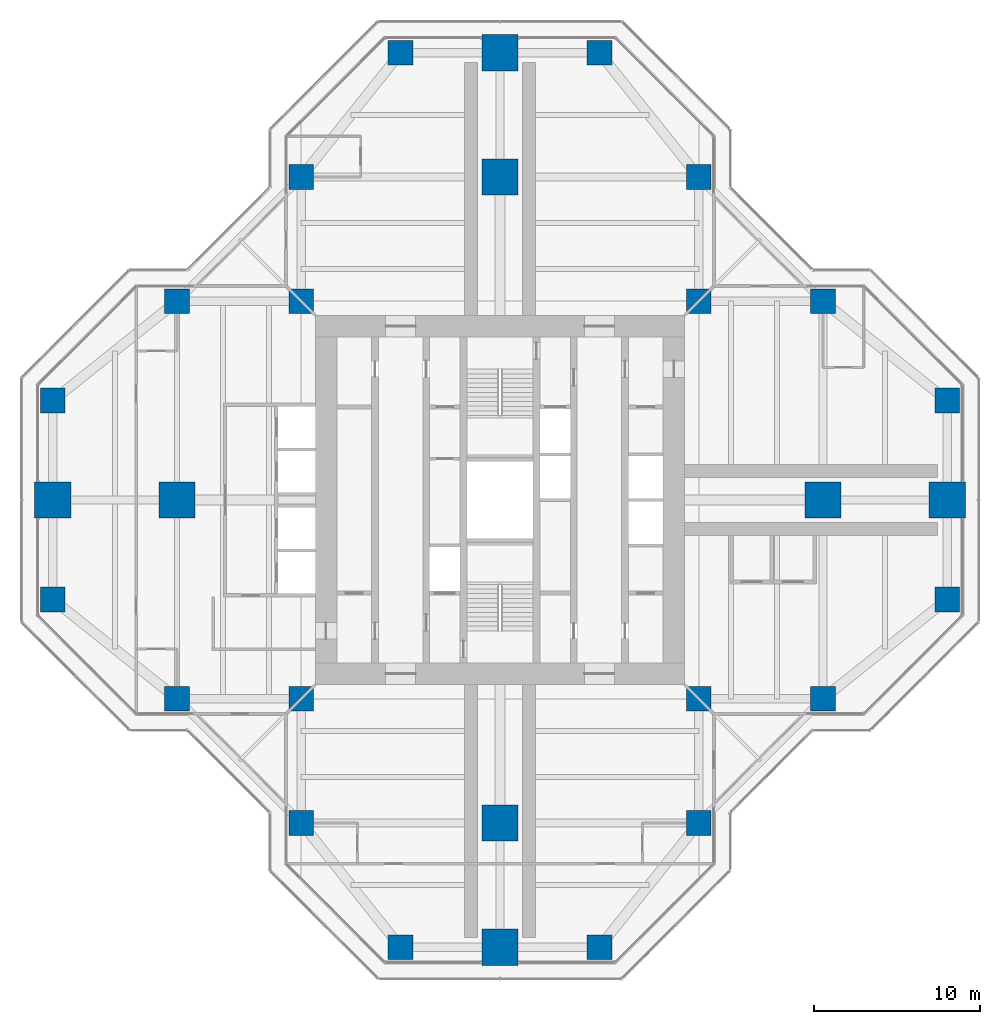
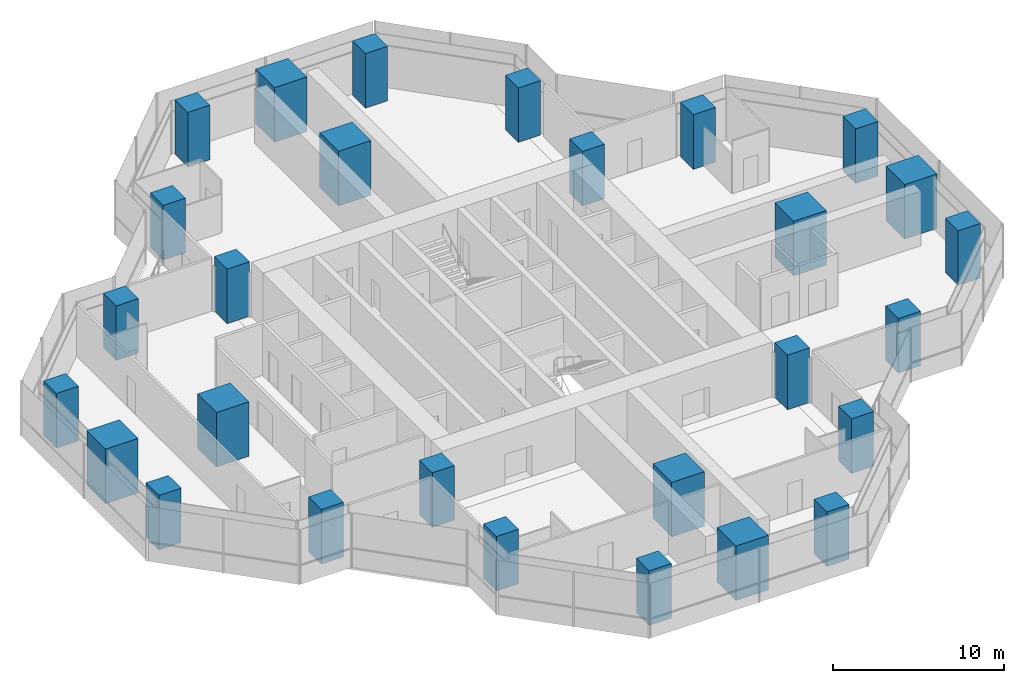
# One storey, part 1 of 17: 28 columns.
"""IFC4 building model written with IfcOpenShell, lengths in metres."""

import ifcopenshell
import ifcopenshell.guid

model = None  # the IFC model being written
_history = None  # IfcOwnerHistory: only IFC2X3 demands one
_inside = {}  # id of a spatial element -> (the spatial element, [elements in it])
_under = {}  # id of a project, library or spatial element -> (it, [spatial elements below it])
_declared = {}  # id of a project -> (the project, [libraries it declares])
_typed = {}  # id of a type object -> (the type object, [elements of that type])
_made_of = {}  # id of a material, layer set ... -> (it, [elements and type objects made of it])


def new_model(schema):
    """Start an empty IFC model of exactly this schema.

    Asked for "IFC4X3", IfcOpenShell would pick the latest addendum, in which some entities
    have other attributes; the version numbers below select the first issue.
    IFC2X3 requires an IfcOwnerHistory on every rooted entity: one is made here for all.
    """
    global model, _history
    if schema == "IFC4X3":
        model = ifcopenshell.file(schema_version=(4, 3, 0, 0))
    else:
        model = ifcopenshell.file(schema=schema)
    _inside.clear()
    _under.clear()
    _declared.clear()
    _typed.clear()
    _made_of.clear()
    _history = None
    if model.schema == "IFC2X3":
        org = make("IfcOrganization", Name="unknown")
        user = make(
            "IfcPersonAndOrganization",
            ThePerson=make("IfcPerson", FamilyName="unknown"),
            TheOrganization=org,
        )
        app = make(
            "IfcApplication",
            ApplicationDeveloper=org,
            Version="unknown",
            ApplicationFullName="unknown",
            ApplicationIdentifier="unknown",
        )
        _history = make(
            "IfcOwnerHistory",
            OwningUser=user,
            OwningApplication=app,
            ChangeAction="ADDED",
            CreationDate=0,
        )
    return model


def make(cls, **values):
    """One entity of the class cls with the attributes given. An attribute that is None is left unset."""
    return model.create_entity(
        cls, **{name: value for name, value in values.items() if value is not None}
    )


def rooted(cls, **values):
    """An entity with a GlobalId (a new one), such as an element, a storey or a relation."""
    return make(cls, GlobalId=ifcopenshell.guid.new(), OwnerHistory=_history, **values)


def si_unit(unit_type, name, prefix=None):
    """IfcSIUnit, for example si_unit("LENGTHUNIT", "METRE", prefix="MILLI")."""
    return make("IfcSIUnit", UnitType=unit_type, Prefix=prefix, Name=name)


def assignment(units):
    """IfcUnitAssignment: the units of a project."""
    return None if units is None else make("IfcUnitAssignment", Units=units)


def point(xyz):
    """IfcCartesianPoint."""
    return None if xyz is None else make("IfcCartesianPoint", Coordinates=xyz)


def direction(xyz):
    """IfcDirection."""
    return None if xyz is None else make("IfcDirection", DirectionRatios=xyz)


def frame(location, z_axis=None, x_axis=None):
    """IfcAxis2Placement3D, a coordinate frame: its origin and axes. An axis left out is left unset."""
    return make(
        "IfcAxis2Placement3D",
        Location=point(location),
        Axis=direction(z_axis),
        RefDirection=direction(x_axis),
    )


def frame_2d(location, x_axis=None):
    """IfcAxis2Placement2D, a coordinate frame in the plane: its origin and x axis."""
    return make(
        "IfcAxis2Placement2D", Location=point(location), RefDirection=direction(x_axis)
    )


def origin():
    """The frame at (0, 0, 0) with its axes left unset."""
    return frame((0.0, 0.0, 0.0))


def origin_2d():
    """The frame at (0, 0) in the plane with its x axis left unset."""
    return frame_2d((0.0, 0.0))


def place(relative_to, where):
    """IfcLocalPlacement: puts the frame where relative to a parent placement (None: the world)."""
    return make(
        "IfcLocalPlacement", PlacementRelTo=relative_to, RelativePlacement=where
    )


def context(
    kind, dimensions, precision=None, world=None, true_north=None, identifier=None
):
    """IfcGeometricRepresentationContext, for example the 3D "Model" context."""
    return make(
        "IfcGeometricRepresentationContext",
        ContextIdentifier=identifier,
        ContextType=kind,
        CoordinateSpaceDimension=dimensions,
        Precision=precision,
        WorldCoordinateSystem=world,
        TrueNorth=true_north,
    )


def subcontext(parent, identifier, kind, view, scale=None):
    """IfcGeometricRepresentationSubContext, for example "Body" below "Model"."""
    return make(
        "IfcGeometricRepresentationSubContext",
        ContextIdentifier=identifier,
        ContextType=kind,
        ParentContext=parent,
        TargetScale=scale,
        TargetView=view,
    )


def project(units=None, contexts=None):
    """IfcProject with its units and contexts."""
    return rooted(
        "IfcProject",
        Name="project",
        RepresentationContexts=contexts,
        UnitsInContext=assignment(units),
    )


def spatial(cls, under=None, at=None, **own):
    """A site, building, storey or space (cls), placed at a placement, below another one or the project."""
    s = rooted(cls, ObjectPlacement=at, **own)
    if under is not None:
        _under.setdefault(under.id(), (under, []))[1].append(s)
    return s


def profile(cls, at=None, kind="AREA", **sizes):
    """A parametric profile (cls). Its sizes go by their IFC names, for example OverallWidth=200.0."""
    return make(cls, ProfileType=kind, Position=at, **sizes)


def rectangle(**sizes):
    """IfcRectangleProfileDef."""
    return profile("IfcRectangleProfileDef", **sizes)


def extrude(swept, where, along, depth):
    """IfcExtrudedAreaSolid: the profile swept, set in the frame where, extruded along a direction by depth."""
    return make(
        "IfcExtrudedAreaSolid",
        SweptArea=swept,
        Position=where,
        ExtrudedDirection=direction(along),
        Depth=depth,
    )


def shape(context_of_items, identifier, shape_type, items):
    """IfcShapeRepresentation: the items that make up one representation, for example the "Body"."""
    return make(
        "IfcShapeRepresentation",
        ContextOfItems=context_of_items,
        RepresentationIdentifier=identifier,
        RepresentationType=shape_type,
        Items=items,
    )


def material(Name=None, Category=None):
    """IfcMaterial."""
    return make("IfcMaterial", Name=Name, Category=Category)


def material_profile(
    of_material, cross_section, Name=None, Category=None, Priority=None
):
    """IfcMaterialProfile: a cross section and its material."""
    return make(
        "IfcMaterialProfile",
        Name=Name,
        Material=of_material,
        Profile=cross_section,
        Priority=Priority,
        Category=Category,
    )


def profile_set(profiles, Name=None, composite=None):
    """IfcMaterialProfileSet."""
    return make(
        "IfcMaterialProfileSet",
        Name=Name,
        MaterialProfiles=profiles,
        CompositeProfile=composite,
    )


def made_of(thing, what):
    """Note that an element or type object is made of a material, layer set ...; save() writes the relation."""
    if what is not None:
        _made_of.setdefault(what.id(), (what, []))[1].append(thing)
    return thing


def type_object(cls, material=None, **own):
    """A type object (cls), such as IfcWallType, which elements share."""
    return made_of(rooted(cls, **own), material)


def element(
    cls,
    number,
    at=None,
    inside=None,
    cuts=None,
    type_object=None,
    material=None,
    context=None,
    identifier="Body",
    shape_type=None,
    held_by="IfcProductDefinitionShape",
    body=None,
    shapes=None,
    **own,
):
    """One element of the class cls, such as IfcWall. Its Tag is "e" and its number.

    at: its placement. inside: the storey or other place that contains it. cuts: it is an
    opening in that element (IfcRelVoidsElement). A single representation is given by context,
    identifier, shape_type and body (its items); several are given by shapes. held_by: the class
    of the entity that holds the representations. save() writes the other relations.
    """
    e = rooted(cls, Tag="e%d" % number, ObjectPlacement=at, **own)
    if body is not None:
        shapes = [shape(context, identifier, shape_type, body)]
    if shapes is not None:
        e.Representation = make(held_by, Representations=shapes)
    if inside is not None:
        _inside.setdefault(inside.id(), (inside, []))[1].append(e)
    if cuts is not None:
        rooted(
            "IfcRelVoidsElement", RelatingBuildingElement=cuts, RelatedOpeningElement=e
        )
    if type_object is not None:
        _typed.setdefault(type_object.id(), (type_object, []))[1].append(e)
    return made_of(e, material)


def aggregate(whole, parts):
    """IfcRelAggregates: a whole, such as a stair, and the parts it consists of."""
    return rooted("IfcRelAggregates", RelatingObject=whole, RelatedObjects=parts)


def save(model, path):
    """Write the relations noted so far, then the file.

    IfcRelAggregates (storeys below a building ...), IfcRelContainedInSpatialStructure (elements
    in a storey), IfcRelDefinesByType, IfcRelAssociatesMaterial and IfcRelDeclares: one each for
    every whole, place, type object, material and project.
    """
    for whole, parts in _under.values():
        aggregate(whole, parts)
    for where, things in _inside.values():
        rooted(
            "IfcRelContainedInSpatialStructure",
            RelatedElements=things,
            RelatingStructure=where,
        )
    for kind, things in _typed.values():
        rooted("IfcRelDefinesByType", RelatedObjects=things, RelatingType=kind)
    for what, things in _made_of.values():
        rooted("IfcRelAssociatesMaterial", RelatedObjects=things, RelatingMaterial=what)
    for by, libraries in _declared.values():
        rooted("IfcRelDeclares", RelatingContext=by, RelatedDefinitions=libraries)
    model.write(path)


model = new_model("IFC4")

# Units and contexts
model_context = context("Model", 3, precision=1e-05, world=origin(), true_north=direction((0.0, 1.0)))
body_context = subcontext(model_context, "Body", "Model", "MODEL_VIEW")
ifc_project = project(units=[si_unit("LENGTHUNIT", "METRE"), si_unit("AREAUNIT", "SQUARE_METRE"), si_unit("VOLUMEUNIT", "CUBIC_METRE"), si_unit("PLANEANGLEUNIT", "RADIAN"), si_unit("MASSUNIT", "GRAM", prefix="KILO")], contexts=[model_context])

# Site, building, storey
site_placement = place(None, origin())
site = spatial("IfcSite", under=ifc_project, at=site_placement, CompositionType="ELEMENT")
building_placement = place(site_placement, origin())
building = spatial("IfcBuilding", under=site, at=building_placement, Name="Mizan Broadcast Tower", CompositionType="ELEMENT")
storey_placement = place(building_placement, frame((0.0, 0.0, 247.800048828125)))
storey = spatial("IfcBuildingStorey", under=building, at=storey_placement, Name="L58", CompositionType="ELEMENT", Elevation=247.800048828125)

# Columns
ifc_material_1 = material(Name="Concrete C70/85", Category="concrete")
ifc_material_profile_1 = material_profile(ifc_material_1, rectangle(XDim=1.5, YDim=1.5, at=origin_2d()), Name="RC 1500x1500")
ifc_profile_set_1 = profile_set([ifc_material_profile_1], Name="Concrete C70/85")
column_type_1 = type_object("IfcColumnType", Name="RC COLUMN 1500x1500 C70/85", PredefinedType="COLUMN", material=ifc_profile_set_1)
for number, where, z_axis, x_axis, name in (
    (1, (-6.0, -27.0, 0.0), (0.0, 0.0, 1.0), (1.0, 0.0, 0.0), "Column 5/B L58"),
    (2, (6.0, -27.0, 0.0), (0.0, 0.0, 1.0), (1.0, 0.0, 0.0), "Column 7/B L58"),
    (3, (-12.0, -19.5, 0.0), (0.0, 0.0, 1.0), (1.0, 0.0, 0.0), "Column 4/C L58"),
    (4, (12.0, -19.5, 0.0), (0.0, 0.0, 1.0), (1.0, 0.0, 0.0), "Column 8/C L58"),
    (5, (-19.5, -12.0, 0.0), (0.0, 0.0, 1.0), (1.0, 0.0, 0.0), "Column 3/D L58"),
    (6, (-12.0, -12.0, 0.0), (0.0, 0.0, 1.0), (1.0, 0.0, 0.0), "Column 4/D L58"),
    (7, (12.0, -12.0, 0.0), (0.0, 0.0, 1.0), (1.0, 0.0, 0.0), "Column 8/D L58"),
    (8, (19.5, -12.0, 0.0), (0.0, 0.0, 1.0), (1.0, 0.0, 0.0), "Column 9/D L58"),
    (9, (-27.0, -6.0, 0.0), (0.0, 0.0, 1.0), (1.0, 0.0, 0.0), "Column 2/E L58"),
    (10, (27.0, -6.0, 0.0), (0.0, 0.0, 1.0), (1.0, 0.0, 0.0), "Column 10/E L58"),
    (11, (-27.0, 6.0, 0.0), (0.0, 0.0, 1.0), (1.0, 0.0, 0.0), "Column 2/G L58"),
    (12, (27.0, 6.0, 0.0), (0.0, 0.0, 1.0), (1.0, 0.0, 0.0), "Column 10/G L58"),
    (13, (-19.5, 12.0, 0.0), (0.0, 0.0, 1.0), (1.0, 0.0, 0.0), "Column 3/H L58"),
    (14, (-12.0, 12.0, 0.0), (0.0, 0.0, 1.0), (1.0, 0.0, 0.0), "Column 4/H L58"),
    (15, (12.0, 12.0, 0.0), (0.0, 0.0, 1.0), (1.0, 0.0, 0.0), "Column 8/H L58"),
    (16, (19.5, 12.0, 0.0), (0.0, 0.0, 1.0), (1.0, 0.0, 0.0), "Column 9/H L58"),
    (17, (-12.0, 19.5, 0.0), (0.0, 0.0, 1.0), (1.0, 0.0, 0.0), "Column 4/J L58"),
    (18, (12.0, 19.5, 0.0), (0.0, 0.0, 1.0), (1.0, 0.0, 0.0), "Column 8/J L58"),
    (19, (-6.0, 27.0, 0.0), (0.0, 0.0, 1.0), (1.0, 0.0, 0.0), "Column 5/K L58"),
    (20, (6.0, 27.0, 0.0), (0.0, 0.0, 1.0), (1.0, 0.0, 0.0), "Column 7/K L58"),
):
    element("IfcColumn", number, at=place(storey_placement, frame(where, z_axis=z_axis, x_axis=x_axis)), inside=storey, type_object=column_type_1, Name=name, PredefinedType="COLUMN", context=body_context, shape_type="SweptSolid", body=[
        extrude(rectangle(XDim=1.5, YDim=1.5, at=origin_2d()), origin(), (0.0, 0.0, 1.0), 3.89990234375),
    ])
ifc_material_2 = material(Name="Concrete C70/85", Category="concrete")
ifc_material_profile_2 = material_profile(ifc_material_2, rectangle(XDim=2.199951171875, YDim=2.199951171875, at=origin_2d()), Name="RC 2200x2200")
ifc_profile_set_2 = profile_set([ifc_material_profile_2], Name="Concrete C70/85")
column_type_2 = type_object("IfcColumnType", Name="RC COLUMN 2200x2200 C70/85", PredefinedType="COLUMN", material=ifc_profile_set_2)
for number, where, z_axis, x_axis, name in (
    (21, (0.0, -27.0, 0.0), (0.0, 0.0, 1.0), (1.0, 0.0, 0.0), "Column 6/B L58"),
    (22, (0.0, -19.5, 0.0), (0.0, 0.0, 1.0), (1.0, 0.0, 0.0), "Column 6/C L58"),
    (23, (-27.0, 0.0, 0.0), (0.0, 0.0, 1.0), (1.0, 0.0, 0.0), "Column 2/F L58"),
    (24, (-19.5, 0.0, 0.0), (0.0, 0.0, 1.0), (1.0, 0.0, 0.0), "Column 3/F L58"),
    (25, (19.5, 0.0, 0.0), (0.0, 0.0, 1.0), (1.0, 0.0, 0.0), "Column 9/F L58"),
    (26, (27.0, 0.0, 0.0), (0.0, 0.0, 1.0), (1.0, 0.0, 0.0), "Column 10/F L58"),
    (27, (0.0, 19.5, 0.0), (0.0, 0.0, 1.0), (1.0, 0.0, 0.0), "Column 6/J L58"),
    (28, (0.0, 27.0, 0.0), (0.0, 0.0, 1.0), (1.0, 0.0, 0.0), "Column 6/K L58"),
):
    element("IfcColumn", number, at=place(storey_placement, frame(where, z_axis=z_axis, x_axis=x_axis)), inside=storey, type_object=column_type_2, Name=name, PredefinedType="COLUMN", context=body_context, shape_type="SweptSolid", body=[
        extrude(rectangle(XDim=2.199951171875, YDim=2.199951171875, at=origin_2d()), origin(), (0.0, 0.0, 1.0), 3.89990234375),
    ])

save(model, "model.ifc")
